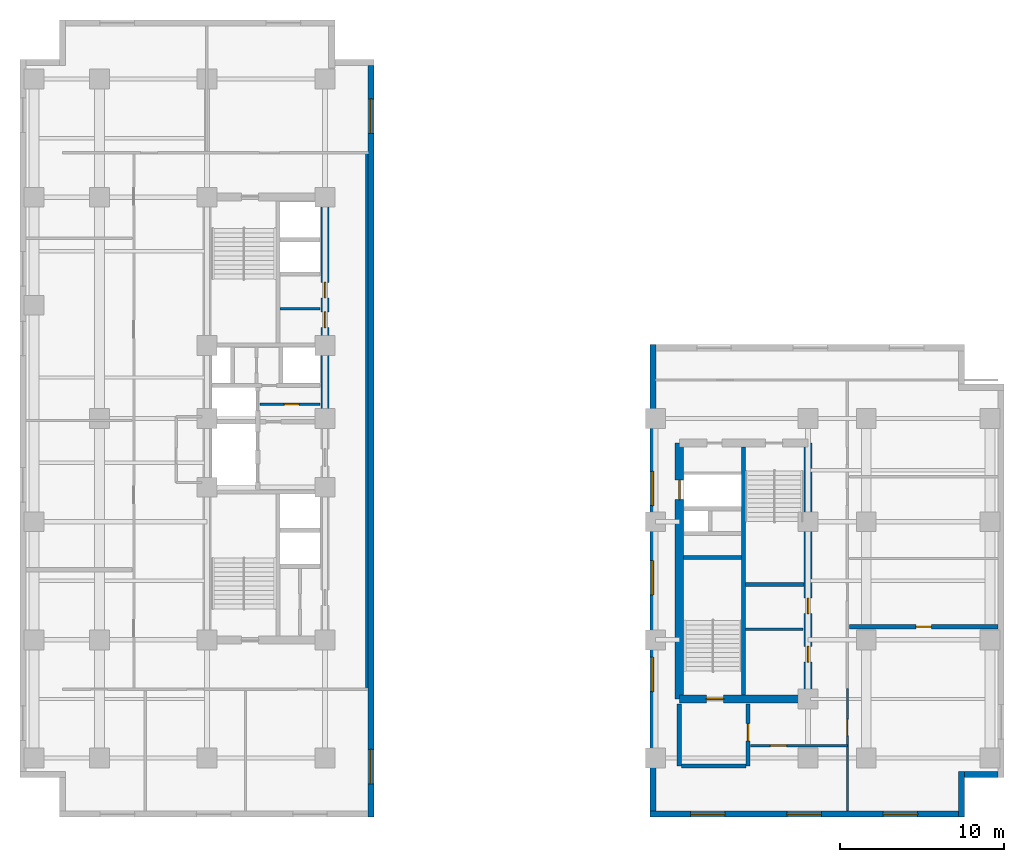
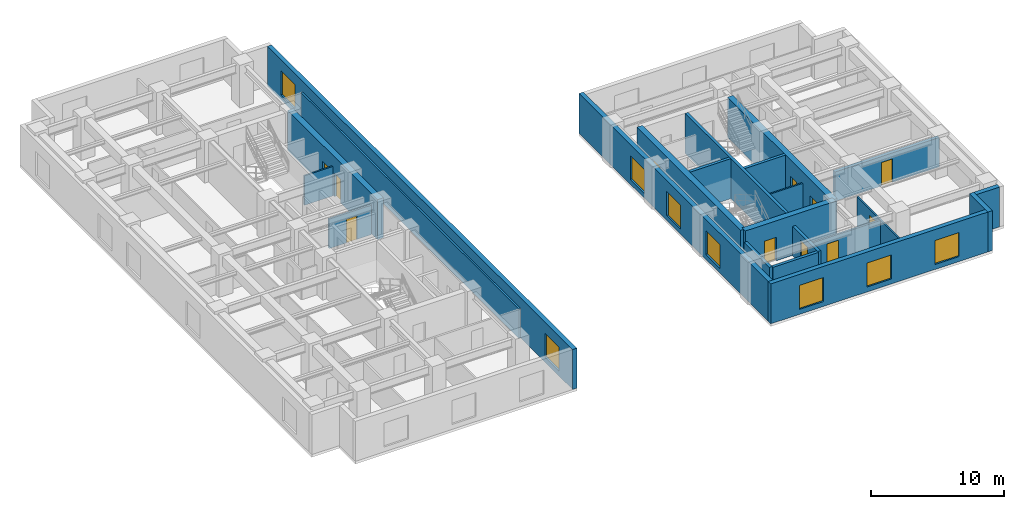
# One storey, part 4 of 9: 22 walls, 11 doors, 8 windows, 19 openings.
"""IFC4 building model written with IfcOpenShell, lengths in metres."""

from ifc_helpers import new_model, entity, si_unit, converted_unit, direction, frame, origin_with_axes, origin_2d_with_axis, place, context, subcontext, project, spatial, polyline, rectangle, outline, extrude, material, layer, layer_set, type_object, element, fill, save


model = new_model("IFC4")

# Units and contexts
model_context = context("Model", 3, precision=1e-05, world=origin_with_axes(), true_north=direction((0.0, 1.0)))
body_context = subcontext(model_context, "Body", "Model", "MODEL_VIEW")
ifc_project = project(units=[si_unit("LENGTHUNIT", "METRE"), si_unit("AREAUNIT", "SQUARE_METRE"), si_unit("VOLUMEUNIT", "CUBIC_METRE"), converted_unit("PLANEANGLEUNIT", "DEGREE", entity("IfcPlaneAngleMeasure", 0.017453292519943295), si_unit("PLANEANGLEUNIT", "RADIAN"), dimensions=[0, 0, 0, 0, 0, 0, 0]), si_unit("MASSUNIT", "GRAM", prefix="KILO"), si_unit("THERMODYNAMICTEMPERATUREUNIT", "KELVIN")], contexts=[model_context])

# Site, building, storey
site_placement = place(None, origin_with_axes())
site = spatial("IfcSite", under=ifc_project, at=site_placement, CompositionType="ELEMENT")
building_placement = place(site_placement, origin_with_axes())
building = spatial("IfcBuilding", under=site, at=building_placement, Name="Varnlund Millrace Tower", CompositionType="ELEMENT")
storey_placement = place(building_placement, frame((0.0, 0.0, 96.9), z_axis=(0.0, 0.0, 1.0), x_axis=(1.0, 0.0, 0.0)))
storey = spatial("IfcBuildingStorey", under=building, at=storey_placement, Name="L23", CompositionType="ELEMENT", Elevation=96.9)

# Wall, openings, doors
ifc_material_1 = material(Name="Concrete C70/85", Category="concrete")
ifc_layer_1 = layer(ifc_material_1, 0.5, Name="Concrete C70/85")
ifc_layer_set_1 = layer_set([ifc_layer_1], Name="Concrete C70/85")
wall_type_1 = type_object("IfcWallType", Name="Type-CoreWall-Shear-500-C70", PredefinedType="SHEAR", material=ifc_layer_set_1)
wall_1_placement = place(storey_placement, frame((18.6, 24.3, 0.0), z_axis=(0.0, 0.0, 1.0), x_axis=(0.0, 1.0, 0.0)))
wall_1 = element("IfcWall", 1, at=wall_1_placement, inside=storey, type_object=wall_type_1, Name="Type-CoreWall-Shear-500-C70", PredefinedType="SHEAR", context=body_context, shape_type="SweptSolid", body=[
    extrude(outline(polyline([(0.0, -0.25), (13.5, -0.25), (13.5, 0.25), (0.0, 0.25), (0.0, -0.25)])), origin_with_axes(), (0.0, 0.0, 1.0), 3.66),
])
opening_1_placement = place(wall_1_placement, frame((6.025, 0.0, 0.0), z_axis=(0.0, 0.0, 1.0), x_axis=(1.0, 0.0, 0.0)))
opening_1 = element("IfcOpeningElement", 2, at=opening_1_placement, cuts=wall_1, Name="Opening L23:DR-CA-WC1", PredefinedType="OPENING", context=body_context, shape_type="SweptSolid", body=[
    extrude(rectangle(XDim=0.95, YDim=0.52, at=origin_2d_with_axis()), origin_with_axes(), (0.0, 0.0, 1.0), 2.15),
])
opening_2_placement = place(wall_1_placement, frame((7.825, 0.0, 0.0), z_axis=(0.0, 0.0, 1.0), x_axis=(1.0, 0.0, 0.0)))
opening_2 = element("IfcOpeningElement", 3, at=opening_2_placement, cuts=wall_1, Name="Opening L23:DR-CA-WC2", PredefinedType="OPENING", context=body_context, shape_type="SweptSolid", body=[
    extrude(rectangle(XDim=0.95, YDim=0.52, at=origin_2d_with_axis()), origin_with_axes(), (0.0, 0.0, 1.0), 2.15),
])
ifc_material_2 = material(Name="Fire-rated hollow steel core service door", Category="steel")
door_type_1 = type_object("IfcDoorType", Name="Type-FireDoor-Service-950X2150", OperationType="NOTDEFINED", PredefinedType="DOOR", material=ifc_material_2)
door_1_placement = place(wall_1_placement, frame((6.025, 0.0, 0.0), z_axis=(0.0, 0.0, 1.0), x_axis=(1.0, 0.0, 0.0)))
door_1 = element("IfcDoor", 4, at=door_1_placement, inside=storey, type_object=door_type_1, Name="Type-FireDoor-Service-950X2150", OperationType="SINGLE_SWING_RIGHT", OverallHeight=2.15, OverallWidth=0.95, PredefinedType="DOOR", context=body_context, shape_type="SweptSolid", body=[
    extrude(rectangle(XDim=0.95, YDim=0.09, at=origin_2d_with_axis()), origin_with_axes(), (0.0, 0.0, 1.0), 2.15),
])
fill(opening_1, door_1)
door_2_placement = place(wall_1_placement, frame((7.825, 0.0, 0.0), z_axis=(0.0, 0.0, 1.0), x_axis=(1.0, 0.0, 0.0)))
door_2 = element("IfcDoor", 5, at=door_2_placement, inside=storey, type_object=door_type_1, Name="Type-FireDoor-Service-950X2150", OperationType="SINGLE_SWING_RIGHT", OverallHeight=2.15, OverallWidth=0.95, PredefinedType="DOOR", context=body_context, shape_type="SweptSolid", body=[
    extrude(rectangle(XDim=0.95, YDim=0.09, at=origin_2d_with_axis()), origin_with_axes(), (0.0, 0.0, 1.0), 2.15),
])
fill(opening_2, door_2)

# Wall, opening, door
wall_2_placement = place(storey_placement, frame((40.2, 7.2, 0.0), z_axis=(0.0, 0.0, 1.0), x_axis=(0.0, 1.0, 0.0)))
wall_2 = element("IfcWall", 6, at=wall_2_placement, inside=storey, type_object=wall_type_1, Name="Type-CoreWall-Shear-500-C70", PredefinedType="SHEAR", context=body_context, shape_type="SweptSolid", body=[
    extrude(outline(polyline([(0.0, -0.25), (15.6, -0.25), (15.6, 0.25), (0.0, 0.25), (0.0, -0.25)])), origin_with_axes(), (0.0, 0.0, 1.0), 3.66),
])
opening_3_placement = place(wall_2_placement, frame((12.75, 0.0, 0.0), z_axis=(0.0, 0.0, 1.0), x_axis=(1.0, 0.0, 0.0)))
opening_3 = element("IfcOpeningElement", 7, at=opening_3_placement, cuts=wall_2, Name="Opening L23:LD-SRV2", PredefinedType="OPENING", context=body_context, shape_type="SweptSolid", body=[
    extrude(rectangle(XDim=1.2, YDim=0.52, at=origin_2d_with_axis()), origin_with_axes(), (0.0, 0.0, 1.0), 2.15),
])
ifc_material_3 = material(Name="Heavy-duty freight sliding landing door")
door_type_2 = type_object("IfcDoorType", Name="Type-LiftLandingDoor-Service-1200X2150", OperationType="NOTDEFINED", PredefinedType="DOOR", material=ifc_material_3)
door_3_placement = place(wall_2_placement, frame((12.75, 0.0, 0.0), z_axis=(0.0, 0.0, 1.0), x_axis=(1.0, 0.0, 0.0)))
door_3 = element("IfcDoor", 8, at=door_3_placement, inside=storey, type_object=door_type_2, Name="Type-LiftLandingDoor-Service-1200X2150", OperationType="DOUBLE_DOOR_SLIDING", OverallHeight=2.15, OverallWidth=1.2, PredefinedType="DOOR", context=body_context, shape_type="SweptSolid", body=[
    extrude(rectangle(XDim=1.2, YDim=0.09, at=origin_2d_with_axis()), origin_with_axes(), (0.0, 0.0, 1.0), 2.15),
])
fill(opening_3, door_3)

wall_3_placement = place(storey_placement, frame((40.2, 7.2, 0.0), z_axis=(0.0, 0.0, 1.0), x_axis=(1.0, 0.0, 0.0)))
wall_3 = element("IfcWall", 9, at=wall_3_placement, inside=storey, type_object=wall_type_1, Name="Type-CoreWall-Shear-500-C70", PredefinedType="SHEAR", context=body_context, shape_type="SweptSolid", body=[
    extrude(outline(polyline([(0.0, -0.25), (7.85, -0.25), (7.85, 0.25), (0.0, 0.25), (0.0, -0.25)])), origin_with_axes(), (0.0, 0.0, 1.0), 3.66),
])
opening_4_placement = place(wall_3_placement, frame((2.175, 0.0, 0.0), z_axis=(0.0, 0.0, 1.0), x_axis=(1.0, 0.0, 0.0)))
opening_4 = element("IfcOpeningElement", 10, at=opening_4_placement, cuts=wall_3, Name="Opening L23:DR-STB1", PredefinedType="OPENING", context=body_context, shape_type="SweptSolid", body=[
    extrude(rectangle(XDim=1.05, YDim=0.52, at=origin_2d_with_axis()), origin_with_axes(), (0.0, 0.0, 1.0), 2.15),
])
ifc_material_4 = material(Name="Fire-rated hollow steel door", Category="steel")
door_type_3 = type_object("IfcDoorType", Name="Type-FireDoor-Stair-1050X2150", OperationType="NOTDEFINED", PredefinedType="DOOR", material=ifc_material_4)
door_4_placement = place(wall_3_placement, frame((2.175, 0.0, 0.0), z_axis=(0.0, 0.0, 1.0), x_axis=(1.0, 0.0, 0.0)))
door_4 = element("IfcDoor", 11, at=door_4_placement, inside=storey, type_object=door_type_3, Name="Type-FireDoor-Stair-1050X2150", OperationType="SINGLE_SWING_LEFT", OverallHeight=2.15, OverallWidth=1.05, PredefinedType="DOOR", context=body_context, shape_type="SweptSolid", body=[
    extrude(rectangle(XDim=1.05, YDim=0.09, at=origin_2d_with_axis()), origin_with_axes(), (0.0, 0.0, 1.0), 2.15),
])
fill(opening_4, door_4)

# Wall, openings, doors
wall_4_placement = place(storey_placement, frame((48.05, 7.2, 0.0), z_axis=(0.0, 0.0, 1.0), x_axis=(0.0, 1.0, 0.0)))
wall_4 = element("IfcWall", 12, at=wall_4_placement, inside=storey, type_object=wall_type_1, Name="Type-CoreWall-Shear-500-C70", PredefinedType="SHEAR", context=body_context, shape_type="SweptSolid", body=[
    extrude(outline(polyline([(0.0, -0.25), (15.6, -0.25), (15.6, 0.25), (0.0, 0.25), (0.0, -0.25)])), origin_with_axes(), (0.0, 0.0, 1.0), 3.66),
])
opening_5_placement = place(wall_4_placement, frame((2.725, 0.0, 0.0), z_axis=(0.0, 0.0, 1.0), x_axis=(1.0, 0.0, 0.0)))
opening_5 = element("IfcOpeningElement", 13, at=opening_5_placement, cuts=wall_4, Name="Opening L23:DR-CB-WC1", PredefinedType="OPENING", context=body_context, shape_type="SweptSolid", body=[
    extrude(rectangle(XDim=0.95, YDim=0.52, at=origin_2d_with_axis()), origin_with_axes(), (0.0, 0.0, 1.0), 2.15),
])
opening_6_placement = place(wall_4_placement, frame((5.675, 0.0, 0.0), z_axis=(0.0, 0.0, 1.0), x_axis=(1.0, 0.0, 0.0)))
opening_6 = element("IfcOpeningElement", 14, at=opening_6_placement, cuts=wall_4, Name="Opening L23:DR-CB-WC2", PredefinedType="OPENING", context=body_context, shape_type="SweptSolid", body=[
    extrude(rectangle(XDim=0.95, YDim=0.52, at=origin_2d_with_axis()), origin_with_axes(), (0.0, 0.0, 1.0), 2.15),
])
door_5_placement = place(wall_4_placement, frame((2.725, 0.0, 0.0), z_axis=(0.0, 0.0, 1.0), x_axis=(1.0, 0.0, 0.0)))
door_5 = element("IfcDoor", 15, at=door_5_placement, inside=storey, type_object=door_type_1, Name="Type-FireDoor-Service-950X2150", OperationType="SINGLE_SWING_LEFT", OverallHeight=2.15, OverallWidth=0.95, PredefinedType="DOOR", context=body_context, shape_type="SweptSolid", body=[
    extrude(rectangle(XDim=0.95, YDim=0.09, at=origin_2d_with_axis()), origin_with_axes(), (0.0, 0.0, 1.0), 2.15),
])
fill(opening_5, door_5)
door_6_placement = place(wall_4_placement, frame((5.675, 0.0, 0.0), z_axis=(0.0, 0.0, 1.0), x_axis=(1.0, 0.0, 0.0)))
door_6 = element("IfcDoor", 16, at=door_6_placement, inside=storey, type_object=door_type_1, Name="Type-FireDoor-Service-950X2150", OperationType="SINGLE_SWING_RIGHT", OverallHeight=2.15, OverallWidth=0.95, PredefinedType="DOOR", context=body_context, shape_type="SweptSolid", body=[
    extrude(rectangle(XDim=0.95, YDim=0.09, at=origin_2d_with_axis()), origin_with_axes(), (0.0, 0.0, 1.0), 2.15),
])
fill(opening_6, door_6)

# Wall, openings, windows
ifc_material_5 = material(Name="Precast concrete C50/60", Category="concrete")
ifc_layer_2 = layer(ifc_material_5, 0.38, Name="Precast concrete C50/60")
ifc_layer_set_2 = layer_set([ifc_layer_2], Name="Precast concrete C50/60")
wall_type_2 = type_object("IfcWallType", Name="Type-ExtWall-Precast-Tube-380", PredefinedType="SOLIDWALL", material=ifc_layer_set_2)
wall_5_placement = place(storey_placement, frame((21.41, 45.82, 0.0), z_axis=(0.0, 0.0, 1.0), x_axis=(0.0, -1.0, 0.0)))
wall_5 = element("IfcWall", 17, at=wall_5_placement, inside=storey, type_object=wall_type_2, Name="Type-ExtWall-Precast-Tube-380", PredefinedType="SOLIDWALL", context=body_context, shape_type="SweptSolid", body=[
    extrude(outline(polyline([(0.0, -0.19), (45.82, -0.19), (45.82, 0.19), (0.0, 0.19), (0.0, -0.19)])), origin_with_axes(), (0.0, 0.0, 1.0), 3.66),
])
opening_7_placement = place(wall_5_placement, frame((3.079, 0.0, 0.45), z_axis=(0.0, 0.0, 1.0), x_axis=(1.0, 0.0, 0.0)))
opening_7 = element("IfcOpeningElement", 18, at=opening_7_placement, cuts=wall_5, Name="Opening L23:WN-08", PredefinedType="OPENING", context=body_context, shape_type="SweptSolid", body=[
    extrude(rectangle(XDim=2.1, YDim=0.4, at=origin_2d_with_axis()), origin_with_axes(), (0.0, 0.0, 1.0), 2.2),
])
opening_8_placement = place(wall_5_placement, frame((42.741, 0.0, 0.45), z_axis=(0.0, 0.0, 1.0), x_axis=(1.0, 0.0, 0.0)))
opening_8 = element("IfcOpeningElement", 19, at=opening_8_placement, cuts=wall_5, Name="Opening L23:WN-09", PredefinedType="OPENING", context=body_context, shape_type="SweptSolid", body=[
    extrude(rectangle(XDim=2.1, YDim=0.4, at=origin_2d_with_axis()), origin_with_axes(), (0.0, 0.0, 1.0), 2.2),
])
ifc_material_6 = material(Name="Argon low-e triple glazing in thermally broken bronze frame", Category="glass")
window_type = type_object("IfcWindowType", Name="Type-Window-Punched-2100X2200", PartitioningType="SINGLE_PANEL", PredefinedType="WINDOW", material=ifc_material_6)
window_1_placement = place(wall_5_placement, frame((3.079, 0.0, 0.45), z_axis=(0.0, 0.0, 1.0), x_axis=(1.0, 0.0, 0.0)))
window_1 = element("IfcWindow", 20, at=window_1_placement, inside=storey, type_object=window_type, Name="Type-Window-Punched-2100X2200", OverallHeight=2.2, OverallWidth=2.1, PredefinedType="WINDOW", context=body_context, shape_type="SweptSolid", body=[
    extrude(rectangle(XDim=2.1, YDim=0.09, at=origin_2d_with_axis()), origin_with_axes(), (0.0, 0.0, 1.0), 2.2),
])
fill(opening_7, window_1)
window_2_placement = place(wall_5_placement, frame((42.741, 0.0, 0.45), z_axis=(0.0, 0.0, 1.0), x_axis=(1.0, 0.0, 0.0)))
window_2 = element("IfcWindow", 21, at=window_2_placement, inside=storey, type_object=window_type, Name="Type-Window-Punched-2100X2200", OverallHeight=2.2, OverallWidth=2.1, PredefinedType="WINDOW", context=body_context, shape_type="SweptSolid", body=[
    extrude(rectangle(XDim=2.1, YDim=0.09, at=origin_2d_with_axis()), origin_with_axes(), (0.0, 0.0, 1.0), 2.2),
])
fill(opening_8, window_2)

# Walls
wall_6_placement = place(storey_placement, frame((59.62, 2.59, 0.0), z_axis=(0.0, 0.0, 1.0), x_axis=(-1.0, 0.0, 0.0)))
element("IfcWall", 22, at=wall_6_placement, inside=storey, type_object=wall_type_2, Name="Type-ExtWall-Precast-Tube-380", PredefinedType="SOLIDWALL", context=body_context, shape_type="SweptSolid", body=[
    extrude(outline(polyline([(0.0, -0.19), (2.02, -0.19), (2.02, 0.19), (0.0, 0.19), (0.0, -0.19)])), origin_with_axes(), (0.0, 0.0, 1.0), 3.66),
])
wall_7_placement = place(storey_placement, frame((57.41, 2.78, 0.0), z_axis=(0.0, 0.0, 1.0), x_axis=(0.0, -1.0, 0.0)))
element("IfcWall", 23, at=wall_7_placement, inside=storey, type_object=wall_type_2, Name="Type-ExtWall-Precast-Tube-380", PredefinedType="SOLIDWALL", context=body_context, shape_type="SweptSolid", body=[
    extrude(outline(polyline([(0.0, -0.19), (2.78, -0.19), (2.78, 0.19), (0.0, 0.19), (0.0, -0.19)])), origin_with_axes(), (0.0, 0.0, 1.0), 3.66),
])

# Wall, openings, windows
wall_8_placement = place(storey_placement, frame((57.22, 0.19, 0.0), z_axis=(0.0, 0.0, 1.0), x_axis=(-1.0, 0.0, 0.0)))
wall_8 = element("IfcWall", 24, at=wall_8_placement, inside=storey, type_object=wall_type_2, Name="Type-ExtWall-Precast-Tube-380", PredefinedType="SOLIDWALL", context=body_context, shape_type="SweptSolid", body=[
    extrude(outline(polyline([(0.0, -0.19), (18.82, -0.19), (18.82, 0.19), (0.0, 0.19), (0.0, -0.19)])), origin_with_axes(), (0.0, 0.0, 1.0), 3.66),
])
opening_9_placement = place(wall_8_placement, frame((3.537, 0.0, 0.45), z_axis=(0.0, 0.0, 1.0), x_axis=(1.0, 0.0, 0.0)))
opening_9 = element("IfcOpeningElement", 25, at=opening_9_placement, cuts=wall_8, Name="Opening L23:WN-17", PredefinedType="OPENING", context=body_context, shape_type="SweptSolid", body=[
    extrude(rectangle(XDim=2.1, YDim=0.4, at=origin_2d_with_axis()), origin_with_axes(), (0.0, 0.0, 1.0), 2.2),
])
opening_10_placement = place(wall_8_placement, frame((9.41, 0.0, 0.45), z_axis=(0.0, 0.0, 1.0), x_axis=(1.0, 0.0, 0.0)))
opening_10 = element("IfcOpeningElement", 26, at=opening_10_placement, cuts=wall_8, Name="Opening L23:WN-18", PredefinedType="OPENING", context=body_context, shape_type="SweptSolid", body=[
    extrude(rectangle(XDim=2.1, YDim=0.4, at=origin_2d_with_axis()), origin_with_axes(), (0.0, 0.0, 1.0), 2.2),
])
opening_11_placement = place(wall_8_placement, frame((15.283, 0.0, 0.45), z_axis=(0.0, 0.0, 1.0), x_axis=(1.0, 0.0, 0.0)))
opening_11 = element("IfcOpeningElement", 27, at=opening_11_placement, cuts=wall_8, Name="Opening L23:WN-19", PredefinedType="OPENING", context=body_context, shape_type="SweptSolid", body=[
    extrude(rectangle(XDim=2.1, YDim=0.4, at=origin_2d_with_axis()), origin_with_axes(), (0.0, 0.0, 1.0), 2.2),
])
window_3_placement = place(wall_8_placement, frame((3.537, 0.0, 0.45), z_axis=(0.0, 0.0, 1.0), x_axis=(1.0, 0.0, 0.0)))
window_3 = element("IfcWindow", 28, at=window_3_placement, inside=storey, type_object=window_type, Name="Type-Window-Punched-2100X2200", OverallHeight=2.2, OverallWidth=2.1, PredefinedType="WINDOW", context=body_context, shape_type="SweptSolid", body=[
    extrude(rectangle(XDim=2.1, YDim=0.09, at=origin_2d_with_axis()), origin_with_axes(), (0.0, 0.0, 1.0), 2.2),
])
fill(opening_9, window_3)
window_4_placement = place(wall_8_placement, frame((9.41, 0.0, 0.45), z_axis=(0.0, 0.0, 1.0), x_axis=(1.0, 0.0, 0.0)))
window_4 = element("IfcWindow", 29, at=window_4_placement, inside=storey, type_object=window_type, Name="Type-Window-Punched-2100X2200", OverallHeight=2.2, OverallWidth=2.1, PredefinedType="WINDOW", context=body_context, shape_type="SweptSolid", body=[
    extrude(rectangle(XDim=2.1, YDim=0.09, at=origin_2d_with_axis()), origin_with_axes(), (0.0, 0.0, 1.0), 2.2),
])
fill(opening_10, window_4)
window_5_placement = place(wall_8_placement, frame((15.283, 0.0, 0.45), z_axis=(0.0, 0.0, 1.0), x_axis=(1.0, 0.0, 0.0)))
window_5 = element("IfcWindow", 30, at=window_5_placement, inside=storey, type_object=window_type, Name="Type-Window-Punched-2100X2200", OverallHeight=2.2, OverallWidth=2.1, PredefinedType="WINDOW", context=body_context, shape_type="SweptSolid", body=[
    extrude(rectangle(XDim=2.1, YDim=0.09, at=origin_2d_with_axis()), origin_with_axes(), (0.0, 0.0, 1.0), 2.2),
])
fill(opening_11, window_5)

wall_9_placement = place(storey_placement, frame((38.59, 0.38, 0.0), z_axis=(0.0, 0.0, 1.0), x_axis=(0.0, 1.0, 0.0)))
wall_9 = element("IfcWall", 31, at=wall_9_placement, inside=storey, type_object=wall_type_2, Name="Type-ExtWall-Precast-Tube-380", PredefinedType="SOLIDWALL", context=body_context, shape_type="SweptSolid", body=[
    extrude(outline(polyline([(0.0, -0.19), (28.42, -0.19), (28.42, 0.19), (0.0, 0.19), (0.0, -0.19)])), origin_with_axes(), (0.0, 0.0, 1.0), 3.66),
])
opening_12_placement = place(wall_9_placement, frame((8.316, 0.0, 0.45), z_axis=(0.0, 0.0, 1.0), x_axis=(1.0, 0.0, 0.0)))
opening_12 = element("IfcOpeningElement", 32, at=opening_12_placement, cuts=wall_9, Name="Opening L23:WN-20", PredefinedType="OPENING", context=body_context, shape_type="SweptSolid", body=[
    extrude(rectangle(XDim=2.1, YDim=0.4, at=origin_2d_with_axis()), origin_with_axes(), (0.0, 0.0, 1.0), 2.2),
])
opening_13_placement = place(wall_9_placement, frame((14.21, 0.0, 0.45), z_axis=(0.0, 0.0, 1.0), x_axis=(1.0, 0.0, 0.0)))
opening_13 = element("IfcOpeningElement", 33, at=opening_13_placement, cuts=wall_9, Name="Opening L23:WN-21", PredefinedType="OPENING", context=body_context, shape_type="SweptSolid", body=[
    extrude(rectangle(XDim=2.1, YDim=0.4, at=origin_2d_with_axis()), origin_with_axes(), (0.0, 0.0, 1.0), 2.2),
])
opening_14_placement = place(wall_9_placement, frame((19.654, 0.0, 0.45), z_axis=(0.0, 0.0, 1.0), x_axis=(1.0, 0.0, 0.0)))
opening_14 = element("IfcOpeningElement", 34, at=opening_14_placement, cuts=wall_9, Name="Opening L23:WN-22", PredefinedType="OPENING", context=body_context, shape_type="SweptSolid", body=[
    extrude(rectangle(XDim=2.1, YDim=0.4, at=origin_2d_with_axis()), origin_with_axes(), (0.0, 0.0, 1.0), 2.2),
])
window_6_placement = place(wall_9_placement, frame((8.316, 0.0, 0.45), z_axis=(0.0, 0.0, 1.0), x_axis=(1.0, 0.0, 0.0)))
window_6 = element("IfcWindow", 35, at=window_6_placement, inside=storey, type_object=window_type, Name="Type-Window-Punched-2100X2200", OverallHeight=2.2, OverallWidth=2.1, PredefinedType="WINDOW", context=body_context, shape_type="SweptSolid", body=[
    extrude(rectangle(XDim=2.1, YDim=0.09, at=origin_2d_with_axis()), origin_with_axes(), (0.0, 0.0, 1.0), 2.2),
])
fill(opening_12, window_6)
window_7_placement = place(wall_9_placement, frame((14.21, 0.0, 0.45), z_axis=(0.0, 0.0, 1.0), x_axis=(1.0, 0.0, 0.0)))
window_7 = element("IfcWindow", 36, at=window_7_placement, inside=storey, type_object=window_type, Name="Type-Window-Punched-2100X2200", OverallHeight=2.2, OverallWidth=2.1, PredefinedType="WINDOW", context=body_context, shape_type="SweptSolid", body=[
    extrude(rectangle(XDim=2.1, YDim=0.09, at=origin_2d_with_axis()), origin_with_axes(), (0.0, 0.0, 1.0), 2.2),
])
fill(opening_13, window_7)
window_8_placement = place(wall_9_placement, frame((19.654, 0.0, 0.45), z_axis=(0.0, 0.0, 1.0), x_axis=(1.0, 0.0, 0.0)))
window_8 = element("IfcWindow", 37, at=window_8_placement, inside=storey, type_object=window_type, Name="Type-Window-Punched-2100X2200", OverallHeight=2.2, OverallWidth=2.1, PredefinedType="WINDOW", context=body_context, shape_type="SweptSolid", body=[
    extrude(rectangle(XDim=2.1, YDim=0.09, at=origin_2d_with_axis()), origin_with_axes(), (0.0, 0.0, 1.0), 2.2),
])
fill(opening_14, window_8)

# Wall, opening, door
ifc_material_7 = material(Name="Double-stud STC-60 conference acoustic partition", Category="gypsum")
ifc_layer_3 = layer(ifc_material_7, 0.28, Name="Double-stud STC-60 conference acoustic partition")
ifc_layer_set_3 = layer_set([ifc_layer_3], Name="Double-stud STC-60 conference acoustic partition")
wall_type_3 = type_object("IfcWallType", Name="Type-Partition-Acoustic-280", PredefinedType="PARTITIONING", material=ifc_layer_set_3)
wall_10_placement = place(storey_placement, frame((50.57, 11.603, 0.0), z_axis=(0.0, 0.0, 1.0), x_axis=(1.0, 0.0, 0.0)))
wall_10 = element("IfcWall", 38, at=wall_10_placement, inside=storey, type_object=wall_type_3, Name="Type-Partition-Acoustic-280", PredefinedType="PARTITIONING", context=body_context, shape_type="SweptSolid", body=[
    extrude(outline(polyline([(0.0, -0.14), (9.055, -0.14), (9.055, 0.14), (0.0, 0.14), (0.0, -0.14)])), origin_with_axes(), (0.0, 0.0, 1.0), 2.7),
])
opening_15_placement = place(wall_10_placement, frame((4.525, 0.0, 0.0), z_axis=(0.0, 0.0, 1.0), x_axis=(1.0, 0.0, 0.0)))
opening_15 = element("IfcOpeningElement", 39, at=opening_15_placement, cuts=wall_10, Name="Opening L23:DR-WB-01", PredefinedType="OPENING", context=body_context, shape_type="SweptSolid", body=[
    extrude(rectangle(XDim=0.95, YDim=0.3, at=origin_2d_with_axis()), origin_with_axes(), (0.0, 0.0, 1.0), 2.15),
])
ifc_material_8 = material(Name="Solid-core acoustic office door")
door_type_4 = type_object("IfcDoorType", Name="Type-IntDoor-Tenant-950X2150", OperationType="NOTDEFINED", PredefinedType="DOOR", material=ifc_material_8)
door_7_placement = place(wall_10_placement, frame((4.525, 0.0, 0.0), z_axis=(0.0, 0.0, 1.0), x_axis=(1.0, 0.0, 0.0)))
door_7 = element("IfcDoor", 40, at=door_7_placement, inside=storey, type_object=door_type_4, Name="Type-IntDoor-Tenant-950X2150", OperationType="SINGLE_SWING_LEFT", OverallHeight=2.15, OverallWidth=0.95, PredefinedType="DOOR", context=body_context, shape_type="SweptSolid", body=[
    extrude(rectangle(XDim=0.95, YDim=0.09, at=origin_2d_with_axis()), origin_with_axes(), (0.0, 0.0, 1.0), 2.15),
])
fill(opening_15, door_7)

ifc_material_9 = material(Name="Fire-rated gypsum board on cold-formed steel framing", Category="steel")
ifc_layer_4 = layer(ifc_material_9, 0.16, Name="Fire-rated gypsum board on cold-formed steel framing")
ifc_layer_set_4 = layer_set([ifc_layer_4], Name="Fire-rated gypsum board on cold-formed steel framing")
wall_type_4 = type_object("IfcWallType", Name="Type-Partition-Corridor-160", PredefinedType="PARTITIONING", material=ifc_layer_set_4)
wall_11_placement = place(storey_placement, frame((14.62, 25.18, 0.0), z_axis=(0.0, 0.0, 1.0), x_axis=(1.0, 0.0, 0.0)))
wall_11 = element("IfcWall", 41, at=wall_11_placement, inside=storey, type_object=wall_type_4, Name="Type-Partition-Corridor-160", PredefinedType="PARTITIONING", context=body_context, shape_type="SweptSolid", body=[
    extrude(outline(polyline([(0.0, -0.08), (3.68, -0.08), (3.68, 0.08), (0.0, 0.08), (0.0, -0.08)])), origin_with_axes(), (0.0, 0.0, 1.0), 2.7),
])
opening_16_placement = place(wall_11_placement, frame((1.95, 0.0, 0.0), z_axis=(0.0, 0.0, 1.0), x_axis=(1.0, 0.0, 0.0)))
opening_16 = element("IfcOpeningElement", 42, at=opening_16_placement, cuts=wall_11, Name="Opening L23:DR-CA-SUB2", PredefinedType="OPENING", context=body_context, shape_type="SweptSolid", body=[
    extrude(rectangle(XDim=0.9, YDim=0.18, at=origin_2d_with_axis()), origin_with_axes(), (0.0, 0.0, 1.0), 2.15),
])
ifc_material_10 = material(Name="Painted steel riser and closet door", Category="steel")
door_type_5 = type_object("IfcDoorType", Name="Type-IntDoor-Closet-900X2150", OperationType="NOTDEFINED", PredefinedType="DOOR", material=ifc_material_10)
door_8_placement = place(wall_11_placement, frame((1.95, 0.0, 0.0), z_axis=(0.0, 0.0, 1.0), x_axis=(1.0, 0.0, 0.0)))
door_8 = element("IfcDoor", 43, at=door_8_placement, inside=storey, type_object=door_type_5, Name="Type-IntDoor-Closet-900X2150", OperationType="SINGLE_SWING_LEFT", OverallHeight=2.15, OverallWidth=0.9, PredefinedType="DOOR", context=body_context, shape_type="SweptSolid", body=[
    extrude(rectangle(XDim=0.9, YDim=0.09, at=origin_2d_with_axis()), origin_with_axes(), (0.0, 0.0, 1.0), 2.15),
])
fill(opening_16, door_8)

# Wall
wall_12_placement = place(storey_placement, frame((21.15, 7.8, 0.0), z_axis=(0.0, 0.0, 1.0), x_axis=(0.0, 1.0, 0.0)))
element("IfcWall", 44, at=wall_12_placement, inside=storey, type_object=wall_type_4, Name="Type-Partition-Corridor-160", PredefinedType="PARTITIONING", context=body_context, shape_type="SweptSolid", body=[
    extrude(outline(polyline([(0.0, -0.08), (32.7, -0.08), (32.7, 0.08), (0.0, 0.08), (0.0, -0.08)])), origin_with_axes(), (0.0, 0.0, 1.0), 2.7),
])

# Wall, opening, door
wall_13_placement = place(storey_placement, frame((44.55, 4.35, 0.0), z_axis=(0.0, 0.0, 1.0), x_axis=(1.0, 0.0, 0.0)))
wall_13 = element("IfcWall", 45, at=wall_13_placement, inside=storey, type_object=wall_type_4, Name="Type-Partition-Corridor-160", PredefinedType="PARTITIONING", context=body_context, shape_type="SweptSolid", body=[
    extrude(outline(polyline([(0.0, -0.08), (5.9, -0.08), (5.9, 0.08), (0.0, 0.08), (0.0, -0.08)])), origin_with_axes(), (0.0, 0.0, 1.0), 2.7),
])
opening_17_placement = place(wall_13_placement, frame((1.7, 0.0, 0.0), z_axis=(0.0, 0.0, 1.0), x_axis=(1.0, 0.0, 0.0)))
opening_17 = element("IfcOpeningElement", 46, at=opening_17_placement, cuts=wall_13, Name="Opening L23:DR-WBS-01", PredefinedType="OPENING", context=body_context, shape_type="SweptSolid", body=[
    extrude(rectangle(XDim=1.0, YDim=0.18, at=origin_2d_with_axis()), origin_with_axes(), (0.0, 0.0, 1.0), 2.15),
])
ifc_material_11 = material(Name="Solid-core white oak and bronze frame door")
door_type_6 = type_object("IfcDoorType", Name="Type-IntDoor-Office-1000X2150", OperationType="NOTDEFINED", PredefinedType="DOOR", material=ifc_material_11)
door_9_placement = place(wall_13_placement, frame((1.7, 0.0, 0.0), z_axis=(0.0, 0.0, 1.0), x_axis=(1.0, 0.0, 0.0)))
door_9 = element("IfcDoor", 47, at=door_9_placement, inside=storey, type_object=door_type_6, Name="Type-IntDoor-Office-1000X2150", OperationType="SINGLE_SWING_LEFT", OverallHeight=2.15, OverallWidth=1.0, PredefinedType="DOOR", context=body_context, shape_type="SweptSolid", body=[
    extrude(rectangle(XDim=1.0, YDim=0.09, at=origin_2d_with_axis()), origin_with_axes(), (0.0, 0.0, 1.0), 2.15),
])
fill(opening_17, door_9)

ifc_material_12 = material(Name="Gypsum board tenant partition", Category="gypsum")
ifc_layer_5 = layer(ifc_material_12, 0.125, Name="Gypsum board tenant partition")
ifc_layer_set_5 = layer_set([ifc_layer_5], Name="Gypsum board tenant partition")
wall_type_5 = type_object("IfcWallType", Name="Type-Partition-Tenant-125", PredefinedType="PARTITIONING", material=ifc_layer_set_5)
wall_14_placement = place(storey_placement, frame((50.45, 0.36, 0.0), z_axis=(0.0, 0.0, 1.0), x_axis=(0.0, 1.0, 0.0)))
wall_14 = element("IfcWall", 48, at=wall_14_placement, inside=storey, type_object=wall_type_5, Name="Type-Partition-Tenant-125", PredefinedType="PARTITIONING", context=body_context, shape_type="SweptSolid", body=[
    extrude(outline(polyline([(0.0, -0.0625), (7.49, -0.0625), (7.49, 0.0625), (0.0, 0.0625), (0.0, -0.0625)])), origin_with_axes(), (0.0, 0.0, 1.0), 2.7),
])
opening_18_placement = place(wall_14_placement, frame((5.1, 0.0, 0.0), z_axis=(0.0, 0.0, 1.0), x_axis=(1.0, 0.0, 0.0)))
opening_18 = element("IfcOpeningElement", 49, at=opening_18_placement, cuts=wall_14, Name="Opening L23:DR-WBS-02", PredefinedType="OPENING", context=body_context, shape_type="SweptSolid", body=[
    extrude(rectangle(XDim=1.0, YDim=0.145, at=origin_2d_with_axis()), origin_with_axes(), (0.0, 0.0, 1.0), 2.15),
])
door_10_placement = place(wall_14_placement, frame((5.1, 0.0, 0.0), z_axis=(0.0, 0.0, 1.0), x_axis=(1.0, 0.0, 0.0)))
door_10 = element("IfcDoor", 50, at=door_10_placement, inside=storey, type_object=door_type_6, Name="Type-IntDoor-Office-1000X2150", OperationType="SINGLE_SWING_LEFT", OverallHeight=2.15, OverallWidth=1.0, PredefinedType="DOOR", context=body_context, shape_type="SweptSolid", body=[
    extrude(rectangle(XDim=1.0, YDim=0.075, at=origin_2d_with_axis()), origin_with_axes(), (0.0, 0.0, 1.0), 2.15),
])
fill(opening_18, door_10)

# Walls
ifc_material_13 = material(Name="Moisture-resistant gypsum restroom partition", Category="gypsum")
ifc_layer_6 = layer(ifc_material_13, 0.14, Name="Moisture-resistant gypsum restroom partition")
ifc_layer_set_6 = layer_set([ifc_layer_6], Name="Moisture-resistant gypsum restroom partition")
wall_type_6 = type_object("IfcWallType", Name="Type-Partition-Wet-140", PredefinedType="PARTITIONING", material=ifc_layer_set_6)
wall_15_placement = place(storey_placement, frame((15.84, 31.0, 0.0), z_axis=(0.0, 0.0, 1.0), x_axis=(1.0, 0.0, 0.0)))
element("IfcWall", 51, at=wall_15_placement, inside=storey, type_object=wall_type_6, Name="Type-Partition-Wet-140", PredefinedType="PARTITIONING", context=body_context, shape_type="SweptSolid", body=[
    extrude(outline(polyline([(0.0, -0.07), (2.46, -0.07), (2.46, 0.07), (0.0, 0.07), (0.0, -0.07)])), origin_with_axes(), (0.0, 0.0, 1.0), 2.7),
])
wall_16_placement = place(storey_placement, frame((44.25, 11.45, 0.0), z_axis=(0.0, 0.0, 1.0), x_axis=(1.0, 0.0, 0.0)))
element("IfcWall", 52, at=wall_16_placement, inside=storey, type_object=wall_type_6, Name="Type-Partition-Wet-140", PredefinedType="PARTITIONING", context=body_context, shape_type="SweptSolid", body=[
    extrude(outline(polyline([(0.0, -0.07), (3.5, -0.07), (3.5, 0.07), (0.0, 0.07), (0.0, -0.07)])), origin_with_axes(), (0.0, 0.0, 1.0), 2.7),
])
ifc_material_14 = material(Name="Concrete C60/75", Category="concrete")
ifc_layer_7 = layer(ifc_material_14, 0.25, Name="Concrete C60/75")
ifc_layer_set_7 = layer_set([ifc_layer_7], Name="Concrete C60/75")
wall_type_7 = type_object("IfcWallType", Name="Type-ShaftWall-Fire-250", PredefinedType="SOLIDWALL", material=ifc_layer_set_7)
wall_17_placement = place(storey_placement, frame((40.2, 3.1, 0.0), z_axis=(0.0, 0.0, 1.0), x_axis=(0.0, 1.0, 0.0)))
element("IfcWall", 53, at=wall_17_placement, inside=storey, type_object=wall_type_7, Name="Type-ShaftWall-Fire-250", PredefinedType="SOLIDWALL", context=body_context, shape_type="SweptSolid", body=[
    extrude(outline(polyline([(0.0, -0.125), (3.8, -0.125), (3.8, 0.125), (0.0, 0.125), (0.0, -0.125)])), origin_with_axes(), (0.0, 0.0, 1.0), 2.7),
])
wall_18_placement = place(storey_placement, frame((40.325, 3.1, 0.0), z_axis=(0.0, 0.0, 1.0), x_axis=(1.0, 0.0, 0.0)))
element("IfcWall", 54, at=wall_18_placement, inside=storey, type_object=wall_type_7, Name="Type-ShaftWall-Fire-250", PredefinedType="SOLIDWALL", context=body_context, shape_type="SweptSolid", body=[
    extrude(outline(polyline([(0.0, -0.125), (3.95, -0.125), (3.95, 0.125), (0.0, 0.125), (0.0, -0.125)])), origin_with_axes(), (0.0, 0.0, 1.0), 2.7),
])

# Wall, opening, door
wall_19_placement = place(storey_placement, frame((44.4, 3.1, 0.0), z_axis=(0.0, 0.0, 1.0), x_axis=(0.0, 1.0, 0.0)))
wall_19 = element("IfcWall", 55, at=wall_19_placement, inside=storey, type_object=wall_type_7, Name="Type-ShaftWall-Fire-250", PredefinedType="SOLIDWALL", context=body_context, shape_type="SweptSolid", body=[
    extrude(outline(polyline([(0.0, -0.125), (3.8, -0.125), (3.8, 0.125), (0.0, 0.125), (0.0, -0.125)])), origin_with_axes(), (0.0, 0.0, 1.0), 2.7),
])
opening_19_placement = place(wall_19_placement, frame((2.075, 0.0, 0.0), z_axis=(0.0, 0.0, 1.0), x_axis=(1.0, 0.0, 0.0)))
opening_19 = element("IfcOpeningElement", 56, at=opening_19_placement, cuts=wall_19, Name="Opening L23:DR-FFLOB-B", PredefinedType="OPENING", context=body_context, shape_type="SweptSolid", body=[
    extrude(rectangle(XDim=1.05, YDim=0.27, at=origin_2d_with_axis()), origin_with_axes(), (0.0, 0.0, 1.0), 2.15),
])
ifc_material_15 = material(Name="Smoke-barrier hollow steel fire door", Category="steel")
door_type_7 = type_object("IfcDoorType", Name="Type-FireDoor-Lobby-1050X2150", OperationType="NOTDEFINED", PredefinedType="DOOR", material=ifc_material_15)
door_11_placement = place(wall_19_placement, frame((2.075, 0.0, 0.0), z_axis=(0.0, 0.0, 1.0), x_axis=(1.0, 0.0, 0.0)))
door_11 = element("IfcDoor", 57, at=door_11_placement, inside=storey, type_object=door_type_7, Name="Type-FireDoor-Lobby-1050X2150", OperationType="SINGLE_SWING_LEFT", OverallHeight=2.15, OverallWidth=1.05, PredefinedType="DOOR", context=body_context, shape_type="SweptSolid", body=[
    extrude(rectangle(XDim=1.05, YDim=0.09, at=origin_2d_with_axis()), origin_with_axes(), (0.0, 0.0, 1.0), 2.15),
])
fill(opening_19, door_11)

# Walls
wall_type_8 = type_object("IfcWallType", Name="Type-StairWall-Shear-250", PredefinedType="SHEAR", material=ifc_layer_set_7)
wall_20_placement = place(storey_placement, frame((44.125, 7.45, 0.0), z_axis=(0.0, 0.0, 1.0), x_axis=(0.0, 1.0, 0.0)))
element("IfcWall", 58, at=wall_20_placement, inside=storey, type_object=wall_type_8, Name="Type-StairWall-Shear-250", PredefinedType="SHEAR", context=body_context, shape_type="SweptSolid", body=[
    extrude(outline(polyline([(0.0, -0.125), (15.1, -0.125), (15.1, 0.125), (0.0, 0.125), (0.0, -0.125)])), origin_with_axes(), (0.0, 0.0, 1.0), 3.66),
])
for number, where, z_axis, x_axis, name in (
    (59, (40.45, 15.825, 0.0), (0.0, 0.0, 1.0), (1.0, 0.0, 0.0), "Type-StairWall-Shear-250"),
    (60, (44.25, 14.175, 0.0), (0.0, 0.0, 1.0), (1.0, 0.0, 0.0), "Type-StairWall-Shear-250"),
):
    element("IfcWall", number, at=place(storey_placement, frame(where, z_axis=z_axis, x_axis=x_axis)), inside=storey, type_object=wall_type_8, Name=name, PredefinedType="SHEAR", context=body_context, shape_type="SweptSolid", body=[
        extrude(outline(polyline([(0.0, -0.125), (3.55, -0.125), (3.55, 0.125), (0.0, 0.125), (0.0, -0.125)])), origin_with_axes(), (0.0, 0.0, 1.0), 3.66),
    ])

save(model, "model.ifc")
